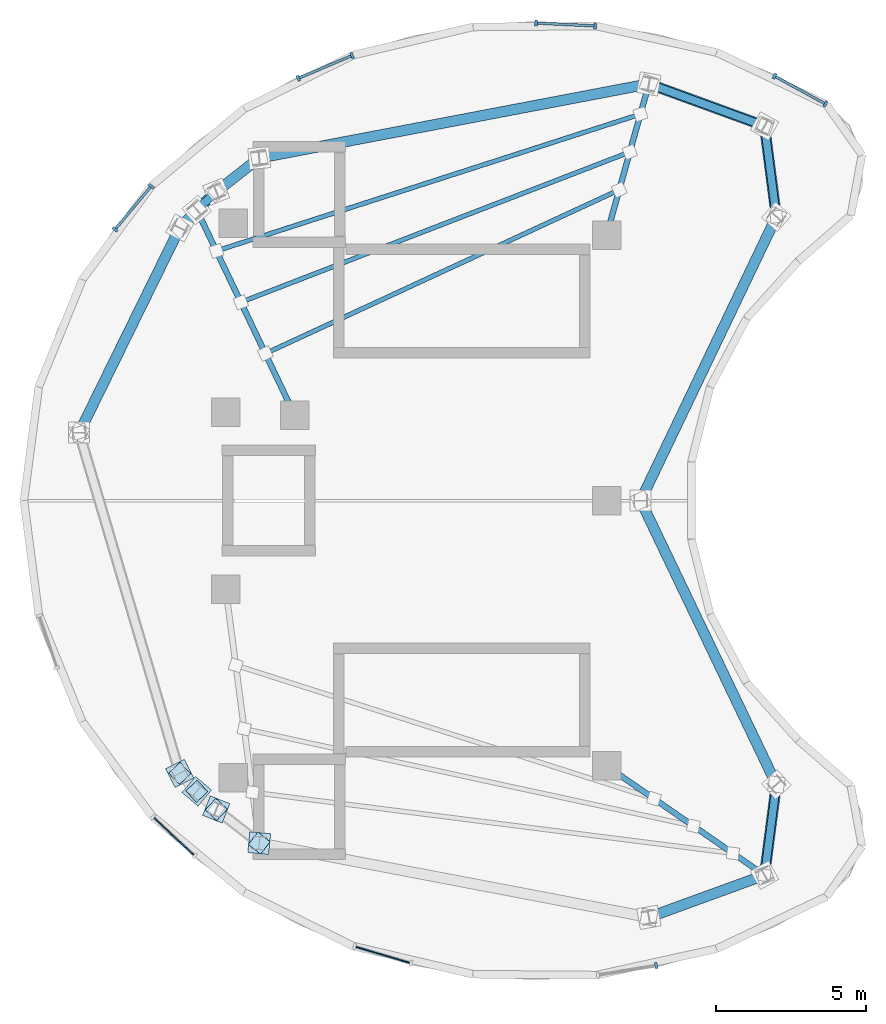
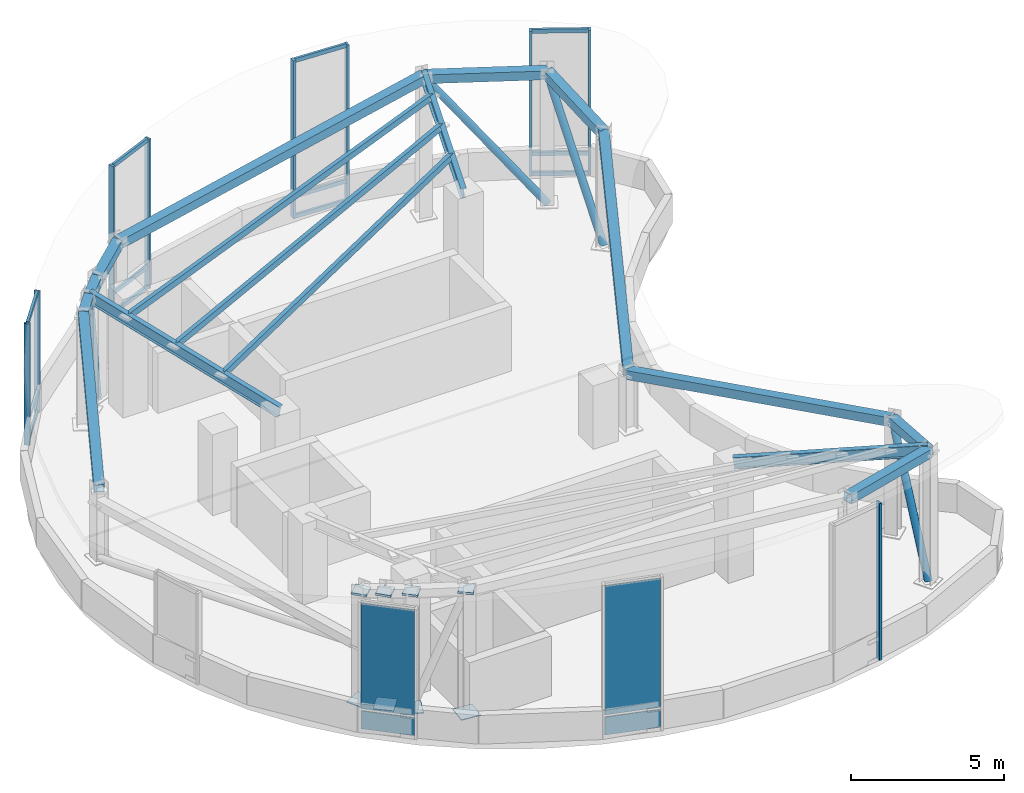
# One storey, part 2 of 4: 28 members, 14 beams, 12 plates, 7 elements without a shape of their own.
"""IFC4 building model written with IfcOpenShell, lengths in metres."""

from ifc_helpers import new_model, si_unit, direction, frame, origin, origin_2d, place, context, subcontext, project, spatial, rectangle, hollow_rectangle, hollow_circle, i_section, extrude, material, layer, layer_set, material_profile, profile_set, type_object, element, aggregate, save


model = new_model("IFC4")

# Units and contexts
model_context = context("Model", 3, precision=1e-05, world=origin(), true_north=direction((0.0, 1.0)))
body_context = subcontext(model_context, "Body", "Model", "MODEL_VIEW")
ifc_project = project(units=[si_unit("LENGTHUNIT", "METRE"), si_unit("AREAUNIT", "SQUARE_METRE"), si_unit("VOLUMEUNIT", "CUBIC_METRE"), si_unit("PLANEANGLEUNIT", "RADIAN"), si_unit("MASSUNIT", "GRAM", prefix="KILO")], contexts=[model_context])

# Site, building, storey
site_placement = place(None, origin())
site = spatial("IfcSite", under=ifc_project, at=site_placement, CompositionType="ELEMENT")
building_placement = place(site_placement, origin())
building = spatial("IfcBuilding", under=site, at=building_placement, Name="Korentha Bioscience Tower", CompositionType="ELEMENT")
storey_placement = place(building_placement, frame((0.0, 0.0, 343.800048828125)))
storey = spatial("IfcBuildingStorey", under=building, at=storey_placement, Name="RF", CompositionType="ELEMENT", Elevation=343.800048828125)

# Members
ifc_material_1 = material(Name="Steel S355", Category="steel")
ifc_material_profile_1 = material_profile(ifc_material_1, hollow_circle(Radius=0.136474609375, WallThickness=0.012451171875, at=origin_2d()), Name="Steel S355")
ifc_profile_set_1 = profile_set([ifc_material_profile_1], Name="Steel S355 (CF-BR273)")
member_type_1 = type_object("IfcMemberType", Name="Crown Frame Brace CHS 273x12.5", PredefinedType="BRACE", material=ifc_profile_set_1)
member_1_placement = place(storey_placement, frame((42.8193359375, 39.493896484375, 0.0), z_axis=(-0.55883798473, 0.203483958231, 0.803924365575), x_axis=(-0.342144214215, -0.939647453399, 0.0)))
element("IfcMember", 1, at=member_1_placement, inside=storey, type_object=member_type_1, Name="RF Crown Wind Brace 01", PredefinedType="BRACE", context=body_context, shape_type="SweptSolid", body=[
    extrude(hollow_circle(Radius=0.136474609375, WallThickness=0.012451171875, at=origin_2d()), origin(), (0.0, 0.0, 1.0), 6.9013671875),
])
member_2_placement = place(storey_placement, frame((24.53271484375, 37.302490234375, 0.0), z_axis=(-0.140267273793, -0.131095343826, 0.981396506377), x_axis=(0.682816985006, -0.730589464054, 0.0)))
element("IfcMember", 2, at=member_2_placement, inside=storey, type_object=member_type_1, Name="RF Crown Wind Brace 04", PredefinedType="BRACE", context=body_context, shape_type="SweptSolid", body=[
    extrude(hollow_circle(Radius=0.136474609375, WallThickness=0.012451171875, at=origin_2d()), origin(), (0.0, 0.0, 1.0), 4.631591796875),
])
member_3_placement = place(storey_placement, frame((42.8193359375, 14.506103515625, 0.0), z_axis=(0.072700696901, 0.557416969811, 0.827043487633), x_axis=(-0.991601749102, 0.129328926302, 0.0)))
element("IfcMember", 3, at=member_3_placement, inside=storey, type_object=member_type_1, Name="RF Crown Wind Brace 13", PredefinedType="BRACE", context=body_context, shape_type="SweptSolid", body=[
    extrude(hollow_circle(Radius=0.136474609375, WallThickness=0.012451171875, at=origin_2d()), origin(), (0.0, 0.0, 1.0), 5.43017578125),
])
member_4_placement = place(storey_placement, frame((43.214111328125, 36.467041015625, 0.0), z_axis=(-0.065348633039, 0.501046600132, 0.862949512229), x_axis=(-0.991601749102, -0.129328926302, 0.0)))
element("IfcMember", 4, at=member_4_placement, inside=storey, type_object=member_type_1, Name="RF Crown Wind Brace 16", PredefinedType="BRACE", context=body_context, shape_type="SweptSolid", body=[
    extrude(hollow_circle(Radius=0.136474609375, WallThickness=0.012451171875, at=origin_2d()), origin(), (0.0, 0.0, 1.0), 6.041015625),
])

# Beams
ifc_material_profile_2 = material_profile(ifc_material_1, hollow_rectangle(XDim=0.35009765625, YDim=0.35009765625, WallThickness=0.02001953125, at=origin_2d()), Name="Steel S355")
ifc_profile_set_2 = profile_set([ifc_material_profile_2], Name="Steel S355 (CF-RB1)")
beam_type_1 = type_object("IfcBeamType", Name="Crown Ring Cap Beam SHS 350x350x20", PredefinedType="BEAM", material=ifc_profile_set_2)
beam_1_placement = place(storey_placement, frame((42.8193359375, 39.493896484375, 5.213134765625), z_axis=(-0.936533866191, 0.341010495558, 0.081339777452), x_axis=(-0.342144214215, -0.939647453399, 0.0)))
element("IfcBeam", 5, at=beam_1_placement, inside=storey, type_object=beam_type_1, Name="RF Crown Ring Cap Beam 01", PredefinedType="BEAM", context=body_context, shape_type="SweptSolid", body=[
    extrude(hollow_rectangle(XDim=0.35009765625, YDim=0.35009765625, WallThickness=0.02001953125, at=origin_2d()), origin(), (0.0, 0.0, 1.0), 4.1181640625),
])
beam_2_placement = place(storey_placement, frame((38.962646484375, 40.898193359375, 5.548095703125), z_axis=(-0.981390025484, -0.186783953005, -0.044557522149), x_axis=(0.186969647443, -0.982365691041, 0.0)))
element("IfcBeam", 6, at=beam_2_placement, inside=storey, type_object=beam_type_1, Name="RF Crown Ring Cap Beam 02", PredefinedType="BEAM", context=body_context, shape_type="SweptSolid", body=[
    extrude(hollow_rectangle(XDim=0.35009765625, YDim=0.35009765625, WallThickness=0.02001953125, at=origin_2d()), origin(), (0.0, 0.0, 1.0), 13.2431640625),
])
beam_3_placement = place(storey_placement, frame((25.9658203125, 38.424560546875, 4.9580078125), z_axis=(-0.778996153373, -0.609926119404, -0.145448004105), x_axis=(0.616481850919, -0.787369117688, 0.0)))
element("IfcBeam", 7, at=beam_3_placement, inside=storey, type_object=beam_type_1, Name="RF Crown Ring Cap Beam 03", PredefinedType="BEAM", context=body_context, shape_type="SweptSolid", body=[
    extrude(hollow_rectangle(XDim=0.35009765625, YDim=0.35009765625, WallThickness=0.02001953125, at=origin_2d()), origin(), (0.0, 0.0, 1.0), 1.839599609375),
])
beam_4_placement = place(storey_placement, frame((24.53271484375, 37.302490234375, 4.6904296875), z_axis=(-0.721063387482, -0.673913808594, -0.16095890724), x_axis=(0.682816985006, -0.730589464054, 0.0)))
element("IfcBeam", 8, at=beam_4_placement, inside=storey, type_object=beam_type_1, Name="RF Crown Ring Cap Beam 04", PredefinedType="BEAM", context=body_context, shape_type="SweptSolid", body=[
    extrude(hollow_rectangle(XDim=0.35009765625, YDim=0.35009765625, WallThickness=0.02001953125, at=origin_2d()), origin(), (0.0, 0.0, 1.0), 0.90087890625),
])
beam_5_placement = place(storey_placement, frame((23.883056640625, 36.6953125, 4.54541015625), z_axis=(-0.679192228581, -0.713910388031, -0.170381555623), x_axis=(0.724503966425, -0.68927063091, 0.0)))
element("IfcBeam", 9, at=beam_5_placement, inside=storey, type_object=beam_type_1, Name="RF Crown Ring Cap Beam 05", PredefinedType="BEAM", context=body_context, shape_type="SweptSolid", body=[
    extrude(hollow_rectangle(XDim=0.35009765625, YDim=0.35009765625, WallThickness=0.02001953125, at=origin_2d()), origin(), (0.0, 0.0, 1.0), 0.8369140625),
])
beam_6_placement = place(storey_placement, frame((23.314697265625, 36.097900390625, 4.40283203125), z_axis=(-0.430853004962, -0.877793613938, -0.209389730994), x_axis=(0.897693443346, -0.440620564401, 0.0)))
element("IfcBeam", 10, at=beam_6_placement, inside=storey, type_object=beam_type_1, Name="RF Crown Ring Cap Beam 06", PredefinedType="BEAM", context=body_context, shape_type="SweptSolid", body=[
    extrude(hollow_rectangle(XDim=0.35009765625, YDim=0.35009765625, WallThickness=0.02001953125, at=origin_2d()), origin(), (0.0, 0.0, 1.0), 7.78515625),
])
beam_7_placement = place(storey_placement, frame((38.962646484375, 13.101806640625, 5.548095703125), z_axis=(0.936533866191, 0.341010495558, -0.081339777452), x_axis=(-0.342144214215, 0.939647453399, 0.0)))
element("IfcBeam", 11, at=beam_7_placement, inside=storey, type_object=beam_type_1, Name="RF Crown Ring Cap Beam 12", PredefinedType="BEAM", context=body_context, shape_type="SweptSolid", body=[
    extrude(hollow_rectangle(XDim=0.35009765625, YDim=0.35009765625, WallThickness=0.02001953125, at=origin_2d()), origin(), (0.0, 0.0, 1.0), 4.1181640625),
])
beam_8_placement = place(storey_placement, frame((42.8193359375, 14.506103515625, 5.213134765625), z_axis=(0.125854733697, 0.964964123915, -0.230227768877), x_axis=(-0.991601749102, 0.129328926302, 0.0)))
element("IfcBeam", 12, at=beam_8_placement, inside=storey, type_object=beam_type_1, Name="RF Crown Ring Cap Beam 13", PredefinedType="BEAM", context=body_context, shape_type="SweptSolid", body=[
    extrude(hollow_rectangle(XDim=0.35009765625, YDim=0.35009765625, WallThickness=0.02001953125, at=origin_2d()), origin(), (0.0, 0.0, 1.0), 3.13671875),
])
for number, where, z_axis, x_axis, name in (
    (13, (43.214111328125, 17.532958984375, 4.490966796875), (-0.421789454281, 0.881948216159, -0.210382984745), (-0.902138946124, -0.431445618688, 0.0), "RF Crown Ring Cap Beam 14"),
    (14, (38.6865234375, 27.0, 2.232666015625), (0.421789454281, 0.881948216159, 0.210382984745), (-0.902138946124, 0.431445618688, 0.0), "RF Crown Ring Cap Beam 15"),
):
    element("IfcBeam", number, at=place(storey_placement, frame(where, z_axis=z_axis, x_axis=x_axis)), inside=storey, type_object=beam_type_1, Name=name, PredefinedType="BEAM", context=body_context, shape_type="SweptSolid", body=[
        extrude(hollow_rectangle(XDim=0.35009765625, YDim=0.35009765625, WallThickness=0.02001953125, at=origin_2d()), origin(), (0.0, 0.0, 1.0), 10.734130859375),
    ])
beam_9_placement = place(storey_placement, frame((43.214111328125, 36.467041015625, 4.490966796875), z_axis=(-0.125854733697, 0.964964123915, 0.230227768877), x_axis=(-0.991601749102, -0.129328926302, 0.0)))
element("IfcBeam", 15, at=beam_9_placement, inside=storey, type_object=beam_type_1, Name="RF Crown Ring Cap Beam 16", PredefinedType="BEAM", context=body_context, shape_type="SweptSolid", body=[
    extrude(hollow_rectangle(XDim=0.35009765625, YDim=0.35009765625, WallThickness=0.02001953125, at=origin_2d()), origin(), (0.0, 0.0, 1.0), 3.13671875),
])

# Members
ifc_material_profile_3 = material_profile(ifc_material_1, hollow_rectangle(XDim=0.14990234375, YDim=0.25, WallThickness=0.012451171875, at=origin_2d()), Name="Steel S355")
ifc_profile_set_3 = profile_set([ifc_material_profile_3], Name="Steel S355 (CR-P250)")
member_type_2 = type_object("IfcMemberType", Name="Crown Roof Secondary Purlin RHS 250x150x12.5", PredefinedType="PURLIN", material=ifc_profile_set_3)
member_5_placement = place(storey_placement, frame((26.169921875, 31.903564453125, 3.577392578125), z_axis=(0.903061067747, 0.417788784946, 0.099665636466), x_axis=(-0.419879370564, 0.907579921646, 0.0)))
element("IfcMember", 16, at=member_5_placement, inside=storey, type_object=member_type_2, Name="RF Crest Roof Purlin 01-N", PredefinedType="PURLIN", context=body_context, shape_type="SweptSolid", body=[
    extrude(hollow_rectangle(XDim=0.14990234375, YDim=0.25, WallThickness=0.012451171875, at=origin_2d()), origin(), (0.0, 0.0, 1.0), 13.071044921875),
])
member_6_placement = place(storey_placement, frame((25.353271484375, 33.614990234375, 3.985595703125), z_axis=(0.929390470154, 0.359023853431, 0.085645937756), x_axis=(-0.360347902721, 0.932817982784, 0.0)))
element("IfcMember", 17, at=member_6_placement, inside=storey, type_object=member_type_2, Name="RF Crest Roof Purlin 02-N", PredefinedType="PURLIN", context=body_context, shape_type="SweptSolid", body=[
    extrude(hollow_rectangle(XDim=0.14990234375, YDim=0.25, WallThickness=0.012451171875, at=origin_2d()), origin(), (0.0, 0.0, 1.0), 13.959228515625),
])
member_7_placement = place(storey_placement, frame((24.53662109375, 35.326171875, 4.393798828125), z_axis=(0.949165349093, 0.306186598837, 0.073040446148), x_axis=(-0.307006619832, 0.951707379072, 0.0)))
element("IfcMember", 18, at=member_7_placement, inside=storey, type_object=member_type_2, Name="RF Crest Roof Purlin 03-N", PredefinedType="PURLIN", context=body_context, shape_type="SweptSolid", body=[
    extrude(hollow_rectangle(XDim=0.14990234375, YDim=0.25, WallThickness=0.012451171875, at=origin_2d()), origin(), (0.0, 0.0, 1.0), 14.901123046875),
])

# Curtain wall, members
ifc_material_2 = material(Name="Thermally Broken Aluminium Frame", Category="aluminium")
ifc_layer_1 = layer(ifc_material_2, 0.219970703125, Name="Thermally Broken Aluminium Frame")
ifc_layer_set_1 = layer_set([ifc_layer_1], Name="Thermally Broken Aluminium Frame (CW-C1)")
curtain_wall_type = type_object("IfcCurtainWallType", Name="Stepped Glazed-Frame Crown Curtain Wall CW-C1", PredefinedType="USERDEFINED", material=ifc_layer_set_1)
curtain_wall_1_placement = place(storey_placement, origin())
curtain_wall_1 = element("IfcCurtainWall", 19, at=curtain_wall_1_placement, inside=storey, type_object=curtain_wall_type, Name="RF Crown Curtain Wall 01", ObjectType="CROWN_GLAZING", PredefinedType="USERDEFINED")
ifc_material_3 = material(Name="Anodised Aluminium 6063-T6", Category="aluminium")
ifc_material_profile_4 = material_profile(ifc_material_3, rectangle(XDim=0.090087890625, YDim=0.199951171875, at=origin_2d()), Name="Anodised Aluminium 6063-T6")
ifc_profile_set_4 = profile_set([ifc_material_profile_4], Name="Anodised Aluminium 6063-T6 (CW-MUL)")
member_type_3 = type_object("IfcMemberType", Name="Mullion RECT 90x200", PredefinedType="MULLION", material=ifc_profile_set_4)
member_8_placement = place(storey_placement, frame((44.85107421875, 40.228271484375, 0.0), z_axis=(0.0, 0.0, 1.0), x_axis=(-0.877088841043, 0.480328184597, 0.0)))
member_8 = element("IfcMember", 20, at=member_8_placement, type_object=member_type_3, Name="CW-RF-CR-01 Mullion 1", PredefinedType="MULLION", context=body_context, shape_type="SweptSolid", body=[
    extrude(rectangle(XDim=0.090087890625, YDim=0.199951171875, at=origin_2d()), origin(), (0.0, 0.0, 1.0), 5.799072265625),
])
member_9_placement = place(storey_placement, frame((43.153076171875, 41.158203125, 0.0), z_axis=(0.0, 0.0, 1.0), x_axis=(-0.877088841043, 0.480328184597, 0.0)))
member_9 = element("IfcMember", 21, at=member_9_placement, type_object=member_type_3, Name="CW-RF-CR-01 Mullion 2", PredefinedType="MULLION", context=body_context, shape_type="SweptSolid", body=[
    extrude(rectangle(XDim=0.090087890625, YDim=0.199951171875, at=origin_2d()), origin(), (0.0, 0.0, 1.0), 5.799072265625),
])

curtain_wall_2_placement = place(storey_placement, origin())
curtain_wall_2 = element("IfcCurtainWall", 22, at=curtain_wall_2_placement, inside=storey, type_object=curtain_wall_type, Name="RF Crown Curtain Wall 02", ObjectType="CROWN_GLAZING", PredefinedType="USERDEFINED")
member_10_placement = place(storey_placement, frame((37.17041015625, 42.83154296875, 0.0), z_axis=(0.0, 0.0, 1.0), x_axis=(-0.998819818758, 0.048569225393, 0.0)))
member_10 = element("IfcMember", 23, at=member_10_placement, type_object=member_type_3, Name="CW-RF-CR-02 Mullion 1", PredefinedType="MULLION", context=body_context, shape_type="SweptSolid", body=[
    extrude(rectangle(XDim=0.090087890625, YDim=0.199951171875, at=origin_2d()), origin(), (0.0, 0.0, 1.0), 6.32080078125),
])
member_11_placement = place(storey_placement, frame((35.19970703125, 42.92724609375, 0.0), z_axis=(0.0, 0.0, 1.0), x_axis=(-0.998819818758, 0.048569225393, 0.0)))
member_11 = element("IfcMember", 24, at=member_11_placement, type_object=member_type_3, Name="CW-RF-CR-02 Mullion 2", PredefinedType="MULLION", context=body_context, shape_type="SweptSolid", body=[
    extrude(rectangle(XDim=0.090087890625, YDim=0.199951171875, at=origin_2d()), origin(), (0.0, 0.0, 1.0), 6.32080078125),
])

curtain_wall_3_placement = place(storey_placement, origin())
curtain_wall_3 = element("IfcCurtainWall", 25, at=curtain_wall_3_placement, inside=storey, type_object=curtain_wall_type, Name="RF Crown Curtain Wall 03", ObjectType="CROWN_GLAZING", PredefinedType="USERDEFINED")
member_12_placement = place(storey_placement, frame((29.0615234375, 41.84326171875, 0.0), z_axis=(0.0, 0.0, 1.0), x_axis=(-0.920726030578, -0.390209657255, 0.0)))
member_12 = element("IfcMember", 26, at=member_12_placement, type_object=member_type_3, Name="CW-RF-CR-03 Mullion 1", PredefinedType="MULLION", context=body_context, shape_type="SweptSolid", body=[
    extrude(rectangle(XDim=0.090087890625, YDim=0.199951171875, at=origin_2d()), origin(), (0.0, 0.0, 1.0), 5.98291015625),
])
member_13_placement = place(storey_placement, frame((27.267578125, 41.0830078125, 0.0), z_axis=(0.0, 0.0, 1.0), x_axis=(-0.920726030578, -0.390209657255, 0.0)))
member_13 = element("IfcMember", 27, at=member_13_placement, type_object=member_type_3, Name="CW-RF-CR-03 Mullion 2", PredefinedType="MULLION", context=body_context, shape_type="SweptSolid", body=[
    extrude(rectangle(XDim=0.090087890625, YDim=0.199951171875, at=origin_2d()), origin(), (0.0, 0.0, 1.0), 5.98291015625),
])

curtain_wall_4_placement = place(storey_placement, origin())
curtain_wall_4 = element("IfcCurtainWall", 28, at=curtain_wall_4_placement, inside=storey, type_object=curtain_wall_type, Name="RF Crown Curtain Wall 04", ObjectType="CROWN_GLAZING", PredefinedType="USERDEFINED")
member_14_placement = place(storey_placement, frame((22.364990234375, 37.486328125, 0.0), z_axis=(0.0, 0.0, 1.0), x_axis=(-0.642660280406, -0.766151267041, 0.0)))
member_14 = element("IfcMember", 29, at=member_14_placement, type_object=member_type_3, Name="CW-RF-CR-04 Mullion 1", PredefinedType="MULLION", context=body_context, shape_type="SweptSolid", body=[
    extrude(rectangle(XDim=0.090087890625, YDim=0.199951171875, at=origin_2d()), origin(), (0.0, 0.0, 1.0), 4.8623046875),
])
member_15_placement = place(storey_placement, frame((21.155517578125, 36.044677734375, 0.0), z_axis=(0.0, 0.0, 1.0), x_axis=(-0.642660280406, -0.766151267041, 0.0)))
member_15 = element("IfcMember", 30, at=member_15_placement, type_object=member_type_3, Name="CW-RF-CR-04 Mullion 2", PredefinedType="MULLION", context=body_context, shape_type="SweptSolid", body=[
    extrude(rectangle(XDim=0.090087890625, YDim=0.199951171875, at=origin_2d()), origin(), (0.0, 0.0, 1.0), 4.8623046875),
])

# Curtain wall, member
curtain_wall_5_placement = place(storey_placement, origin())
curtain_wall_5 = element("IfcCurtainWall", 31, at=curtain_wall_5_placement, inside=storey, type_object=curtain_wall_type, Name="RF Crown Curtain Wall 08", ObjectType="CROWN_GLAZING", PredefinedType="USERDEFINED")
member_16_placement = place(storey_placement, frame((39.20361328125, 11.4921875, 0.0), z_axis=(0.0, 0.0, 1.0), x_axis=(0.98717651646, 0.1596324696, 0.0)))
member_16 = element("IfcMember", 32, at=member_16_placement, type_object=member_type_3, Name="CW-RF-CR-08 Mullion 2", PredefinedType="MULLION", context=body_context, shape_type="SweptSolid", body=[
    extrude(rectangle(XDim=0.090087890625, YDim=0.199951171875, at=origin_2d()), origin(), (0.0, 0.0, 1.0), 6.26953125),
])
aggregate(curtain_wall_5, [member_16])

# Beams
ifc_material_profile_5 = material_profile(ifc_material_1, i_section(OverallWidth=0.18994140625, OverallDepth=0.45703125, WebThickness=0.009033203125, FlangeThickness=0.014404296875, at=origin_2d()), Name="Steel S355")
ifc_profile_set_5 = profile_set([ifc_material_profile_5], Name="Steel S355 (CR-B460)")
beam_type_2 = type_object("IfcBeamType", Name="Sloped Crest Roof Rafter Beam W460x74", PredefinedType="BEAM", material=ifc_profile_set_5)
beam_10_placement = place(storey_placement, frame((27.14990234375, 29.85009765625, 2.984130859375), z_axis=(-0.421063159956, 0.882278520203, 0.210452911874), x_axis=(-0.902490706182, -0.430709328034, 0.0)))
element("IfcBeam", 33, at=beam_10_placement, inside=storey, type_object=beam_type_2, Name="RF Sloped Crest Rafter 1-N", PredefinedType="BEAM", context=body_context, shape_type="SweptSolid", body=[
    extrude(i_section(OverallWidth=0.18994140625, OverallDepth=0.45703125, WebThickness=0.009033203125, FlangeThickness=0.014404296875, at=origin_2d()), origin(), (0.0, 0.0, 1.0), 7.758544921875),
])
beam_11_placement = place(storey_placement, frame((37.550048828125, 35.85009765625, 4.415283203125), z_axis=(0.262633812204, 0.938555018137, 0.2239150701), x_axis=(-0.963007057137, 0.269476173168, 0.0)))
element("IfcBeam", 34, at=beam_11_placement, inside=storey, type_object=beam_type_2, Name="RF Sloped Crest Rafter 2-N", PredefinedType="BEAM", context=body_context, shape_type="SweptSolid", body=[
    extrude(i_section(OverallWidth=0.18994140625, OverallDepth=0.45703125, WebThickness=0.009033203125, FlangeThickness=0.014404296875, at=origin_2d()), origin(), (0.0, 0.0, 1.0), 5.378662109375),
])
beam_12_placement = place(storey_placement, frame((37.550048828125, 18.14990234375, 4.415283203125), z_axis=(0.815026228319, -0.563604061421, 0.134471964001), x_axis=(0.568769972354, 0.822496637408, 0.0)))
element("IfcBeam", 35, at=beam_12_placement, inside=storey, type_object=beam_type_2, Name="RF Sloped Crest Rafter 2-S", PredefinedType="BEAM", context=body_context, shape_type="SweptSolid", body=[
    extrude(i_section(OverallWidth=0.18994140625, OverallDepth=0.45703125, WebThickness=0.009033203125, FlangeThickness=0.014404296875, at=origin_2d()), origin(), (0.0, 0.0, 1.0), 6.465087890625),
])

# Member
ifc_material_profile_6 = material_profile(ifc_material_3, rectangle(XDim=0.090087890625, YDim=0.159912109375, at=origin_2d()), Name="Anodised Aluminium 6063-T6")
ifc_profile_set_6 = profile_set([ifc_material_profile_6], Name="Anodised Aluminium 6063-T6 (CW-TRN)")
member_type_4 = type_object("IfcMemberType", Name="Transom RECT 90x160", PredefinedType="USERDEFINED", material=ifc_profile_set_6)
member_17_placement = place(storey_placement, frame((44.8115234375, 40.249755859375, 0.044921875), z_axis=(-0.877085655285, 0.480334001809, 0.0), x_axis=(-0.480334001809, -0.877085655285, 0.0)))
member_17 = element("IfcMember", 36, at=member_17_placement, type_object=member_type_4, Name="CW-RF-CR-01 Bay 1 Transom 1", ObjectType="TRANSOM", PredefinedType="USERDEFINED", context=body_context, shape_type="SweptSolid", body=[
    extrude(rectangle(XDim=0.090087890625, YDim=0.159912109375, at=origin_2d()), origin(), (0.0, 0.0, 1.0), 1.845947265625),
])

member_18_placement = place(storey_placement, frame((44.8115234375, 40.249755859375, 0.849853515625), z_axis=(-0.877085655285, 0.480334001809, 0.0), x_axis=(-0.480334001809, -0.877085655285, 0.0)))
member_18 = element("IfcMember", 37, at=member_18_placement, type_object=member_type_4, Name="CW-RF-CR-01 Bay 1 Transom 2", ObjectType="TRANSOM", PredefinedType="USERDEFINED", context=body_context, shape_type="SweptSolid", body=[
    extrude(rectangle(XDim=0.090087890625, YDim=0.159912109375, at=origin_2d()), origin(), (0.0, 0.0, 1.0), 1.845947265625),
])

member_19_placement = place(storey_placement, frame((44.8115234375, 40.249755859375, 5.754150390625), z_axis=(-0.877085655285, 0.480334001809, 0.0), x_axis=(-0.480334001809, -0.877085655285, 0.0)))
member_19 = element("IfcMember", 38, at=member_19_placement, type_object=member_type_4, Name="CW-RF-CR-01 Bay 1 Transom 3", ObjectType="TRANSOM", PredefinedType="USERDEFINED", context=body_context, shape_type="SweptSolid", body=[
    extrude(rectangle(XDim=0.090087890625, YDim=0.159912109375, at=origin_2d()), origin(), (0.0, 0.0, 1.0), 1.845947265625),
])

aggregate(curtain_wall_1, [member_8, member_9, member_17, member_18, member_19])

member_20_placement = place(storey_placement, frame((37.12548828125, 42.833740234375, 0.044921875), z_axis=(-0.998823711501, 0.048489105413, 0.0), x_axis=(-0.048489105413, -0.998823711501, 0.0)))
member_20 = element("IfcMember", 39, at=member_20_placement, type_object=member_type_4, Name="CW-RF-CR-02 Bay 1 Transom 1", ObjectType="TRANSOM", PredefinedType="USERDEFINED", context=body_context, shape_type="SweptSolid", body=[
    extrude(rectangle(XDim=0.090087890625, YDim=0.159912109375, at=origin_2d()), origin(), (0.0, 0.0, 1.0), 1.883056640625),
])

member_21_placement = place(storey_placement, frame((37.12548828125, 42.833740234375, 0.849853515625), z_axis=(-0.998823711501, 0.048489105413, 0.0), x_axis=(-0.048489105413, -0.998823711501, 0.0)))
member_21 = element("IfcMember", 40, at=member_21_placement, type_object=member_type_4, Name="CW-RF-CR-02 Bay 1 Transom 2", ObjectType="TRANSOM", PredefinedType="USERDEFINED", context=body_context, shape_type="SweptSolid", body=[
    extrude(rectangle(XDim=0.090087890625, YDim=0.159912109375, at=origin_2d()), origin(), (0.0, 0.0, 1.0), 1.883056640625),
])

member_22_placement = place(storey_placement, frame((37.12548828125, 42.833740234375, 6.275634765625), z_axis=(-0.998823711501, 0.048489105413, 0.0), x_axis=(-0.048489105413, -0.998823711501, 0.0)))
member_22 = element("IfcMember", 41, at=member_22_placement, type_object=member_type_4, Name="CW-RF-CR-02 Bay 1 Transom 3", ObjectType="TRANSOM", PredefinedType="USERDEFINED", context=body_context, shape_type="SweptSolid", body=[
    extrude(rectangle(XDim=0.090087890625, YDim=0.159912109375, at=origin_2d()), origin(), (0.0, 0.0, 1.0), 1.883056640625),
])

aggregate(curtain_wall_2, [member_10, member_11, member_20, member_21, member_22])

member_23_placement = place(storey_placement, frame((29.02001953125, 41.82568359375, 0.044921875), z_axis=(-0.92072772069, -0.390205669299, 0.0), x_axis=(0.390205669299, -0.92072772069, 0.0)))
member_23 = element("IfcMember", 42, at=member_23_placement, type_object=member_type_4, Name="CW-RF-CR-03 Bay 1 Transom 1", ObjectType="TRANSOM", PredefinedType="USERDEFINED", context=body_context, shape_type="SweptSolid", body=[
    extrude(rectangle(XDim=0.090087890625, YDim=0.159912109375, at=origin_2d()), origin(), (0.0, 0.0, 1.0), 1.858154296875),
])

member_24_placement = place(storey_placement, frame((29.02001953125, 41.82568359375, 0.849853515625), z_axis=(-0.92072772069, -0.390205669299, 0.0), x_axis=(0.390205669299, -0.92072772069, 0.0)))
member_24 = element("IfcMember", 43, at=member_24_placement, type_object=member_type_4, Name="CW-RF-CR-03 Bay 1 Transom 2", ObjectType="TRANSOM", PredefinedType="USERDEFINED", context=body_context, shape_type="SweptSolid", body=[
    extrude(rectangle(XDim=0.090087890625, YDim=0.159912109375, at=origin_2d()), origin(), (0.0, 0.0, 1.0), 1.858154296875),
])

member_25_placement = place(storey_placement, frame((29.02001953125, 41.82568359375, 5.937744140625), z_axis=(-0.92072772069, -0.390205669299, 0.0), x_axis=(0.390205669299, -0.92072772069, 0.0)))
member_25 = element("IfcMember", 44, at=member_25_placement, type_object=member_type_4, Name="CW-RF-CR-03 Bay 1 Transom 3", ObjectType="TRANSOM", PredefinedType="USERDEFINED", context=body_context, shape_type="SweptSolid", body=[
    extrude(rectangle(XDim=0.090087890625, YDim=0.159912109375, at=origin_2d()), origin(), (0.0, 0.0, 1.0), 1.858154296875),
])

aggregate(curtain_wall_3, [member_12, member_13, member_23, member_24, member_25])

member_26_placement = place(storey_placement, frame((22.336181640625, 37.451904296875, 0.044921875), z_axis=(-0.642687083565, -0.766128783312, 0.0), x_axis=(0.766128783312, -0.642687083565, 0.0)))
member_26 = element("IfcMember", 45, at=member_26_placement, type_object=member_type_4, Name="CW-RF-CR-04 Bay 1 Transom 1", ObjectType="TRANSOM", PredefinedType="USERDEFINED", context=body_context, shape_type="SweptSolid", body=[
    extrude(rectangle(XDim=0.090087890625, YDim=0.159912109375, at=origin_2d()), origin(), (0.0, 0.0, 1.0), 1.791748046875),
])

member_27_placement = place(storey_placement, frame((22.336181640625, 37.451904296875, 0.849853515625), z_axis=(-0.642687083565, -0.766128783312, 0.0), x_axis=(0.766128783312, -0.642687083565, 0.0)))
member_27 = element("IfcMember", 46, at=member_27_placement, type_object=member_type_4, Name="CW-RF-CR-04 Bay 1 Transom 2", ObjectType="TRANSOM", PredefinedType="USERDEFINED", context=body_context, shape_type="SweptSolid", body=[
    extrude(rectangle(XDim=0.090087890625, YDim=0.159912109375, at=origin_2d()), origin(), (0.0, 0.0, 1.0), 1.791748046875),
])

member_28_placement = place(storey_placement, frame((22.336181640625, 37.451904296875, 4.817138671875), z_axis=(-0.642687083565, -0.766128783312, 0.0), x_axis=(0.766128783312, -0.642687083565, 0.0)))
member_28 = element("IfcMember", 47, at=member_28_placement, type_object=member_type_4, Name="CW-RF-CR-04 Bay 1 Transom 3", ObjectType="TRANSOM", PredefinedType="USERDEFINED", context=body_context, shape_type="SweptSolid", body=[
    extrude(rectangle(XDim=0.090087890625, YDim=0.159912109375, at=origin_2d()), origin(), (0.0, 0.0, 1.0), 1.791748046875),
])

aggregate(curtain_wall_4, [member_14, member_15, member_26, member_27, member_28])

# Plates
ifc_layer_2 = layer(ifc_material_1, 0.034912109375, Name="Steel S355")
ifc_layer_set_2 = layer_set([ifc_layer_2], Name="Steel S355 (BP-01)")
plate_type_1 = type_object("IfcPlateType", Name="Crown Strut Base Plate 700x700x35", PredefinedType="USERDEFINED", material=ifc_layer_set_2)
for number, where, z_axis, x_axis, name in (
    (48, (23.314697265625, 17.902099609375, 0.00048828125), (0.0, 0.0, 1.0), (-0.453057191132, 0.891481453292, 0.0), "RF Crown Post Base Plate BP-08"),
    (49, (23.883056640625, 17.3046875, 0.00048828125), (0.0, 0.0, 1.0), (-0.764246456939, 0.644924300253, 0.0), "RF Crown Post Base Plate BP-09"),
    (50, (24.53271484375, 16.697509765625, 0.00048828125), (0.0, 0.0, 1.0), (-0.930225540858, 0.366988341962, 0.0), "RF Crown Post Base Plate BP-10"),
    (51, (25.9658203125, 15.575439453125, 0.00048828125), (0.0, 0.0, 1.0), (-0.995462868748, 0.095150811579, 0.0), "RF Crown Post Base Plate BP-11"),
):
    element("IfcPlate", number, at=place(storey_placement, frame(where, z_axis=z_axis, x_axis=x_axis)), inside=storey, type_object=plate_type_1, Name=name, ObjectType="STIFFENER_PLATE", PredefinedType="USERDEFINED", context=body_context, shape_type="SweptSolid", body=[
        extrude(rectangle(XDim=0.699951171875, YDim=0.699951171875, at=origin_2d()), origin(), (0.0, 0.0, 1.0), 0.034912109375),
    ])

# Curtain wall, plates
curtain_wall_6_placement = place(storey_placement, origin())
curtain_wall_6 = element("IfcCurtainWall", 52, at=curtain_wall_6_placement, inside=storey, type_object=curtain_wall_type, Name="RF Crown Curtain Wall 06", ObjectType="CROWN_GLAZING", PredefinedType="USERDEFINED")
ifc_material_4 = material(Name="Triple-Glazed Low-E Insulated Glass", Category="glass")
ifc_layer_3 = layer(ifc_material_4, 0.0439453125, Name="Triple-Glazed Low-E Insulated Glass")
ifc_layer_set_3 = layer_set([ifc_layer_3], Name="Triple-Glazed Low-E Insulated Glass (GL-44)")
plate_type_2 = type_object("IfcPlateType", Name="Glazed Panel 44mm", PredefinedType="CURTAIN_PANEL", material=ifc_layer_set_3)
plate_1_placement = place(storey_placement, frame((23.12060546875, 15.7998046875, 0.08984375), z_axis=(0.0, 0.0, 1.0), x_axis=(0.730505135592, -0.682907202242, 0.0)))
plate_1 = element("IfcPlate", 53, at=plate_1_placement, type_object=plate_type_2, Name="CW-RF-CR-06 Bay 1 Glazed Panel 1", PredefinedType="CURTAIN_PANEL", context=body_context, shape_type="SweptSolid", body=[
    extrude(rectangle(XDim=1.8095703125, YDim=0.0439453125, at=origin_2d()), origin(), (0.0, 0.0, 1.0), 0.715087890625),
])
plate_2_placement = place(storey_placement, frame((23.12060546875, 15.7998046875, 0.89501953125), z_axis=(0.0, 0.0, 1.0), x_axis=(0.730505135592, -0.682907202242, 0.0)))
plate_2 = element("IfcPlate", 54, at=plate_2_placement, type_object=plate_type_2, Name="CW-RF-CR-06 Bay 1 Glazed Panel 2", PredefinedType="CURTAIN_PANEL", context=body_context, shape_type="SweptSolid", body=[
    extrude(rectangle(XDim=1.8095703125, YDim=0.0439453125, at=origin_2d()), origin(), (0.0, 0.0, 1.0), 4.219482421875),
])
aggregate(curtain_wall_6, [plate_1, plate_2])

curtain_wall_7_placement = place(storey_placement, origin())
curtain_wall_7 = element("IfcCurtainWall", 55, at=curtain_wall_7_placement, inside=storey, type_object=curtain_wall_type, Name="RF Crown Curtain Wall 07", ObjectType="CROWN_GLAZING", PredefinedType="USERDEFINED")
plate_3_placement = place(storey_placement, frame((30.086181640625, 11.8486328125, 0.08984375), z_axis=(0.0, 0.0, 1.0), x_axis=(0.959016804336, -0.283349199754, 0.0)))
plate_3 = element("IfcPlate", 56, at=plate_3_placement, type_object=plate_type_2, Name="CW-RF-CR-07 Bay 1 Glazed Panel 1", PredefinedType="CURTAIN_PANEL", context=body_context, shape_type="SweptSolid", body=[
    extrude(rectangle(XDim=1.8701171875, YDim=0.0439453125, at=origin_2d()), origin(), (0.0, 0.0, 1.0), 0.715087890625),
])
plate_4_placement = place(storey_placement, frame((30.086181640625, 11.8486328125, 0.894775390625), z_axis=(0.0, 0.0, 1.0), x_axis=(0.959016804336, -0.283349199754, 0.0)))
plate_4 = element("IfcPlate", 57, at=plate_4_placement, type_object=plate_type_2, Name="CW-RF-CR-07 Bay 1 Glazed Panel 2", PredefinedType="CURTAIN_PANEL", context=body_context, shape_type="SweptSolid", body=[
    extrude(rectangle(XDim=1.8701171875, YDim=0.0439453125, at=origin_2d()), origin(), (0.0, 0.0, 1.0), 5.162109375),
])
aggregate(curtain_wall_7, [plate_3, plate_4])

# Plates
ifc_layer_4 = layer(ifc_material_1, 0.080078125, Name="Steel S355")
ifc_layer_set_4 = layer_set([ifc_layer_4], Name="Steel S355 (CP-01)")
plate_type_3 = type_object("IfcPlateType", Name="Hollow Section End Cap Plate 520x520x80", PredefinedType="USERDEFINED", material=ifc_layer_set_4)
for number, where, z_axis, x_axis, name in (
    (58, (23.314697265625, 17.902099609375, 4.36279296875), (0.0, 0.0, 1.0), (-0.689240273721, 0.724532846102, 0.0), "RF Crown Ring 08 End Cap 1"),
    (59, (23.883056640625, 17.3046875, 4.50537109375), (0.0, 0.0, 1.0), (-0.689240273721, 0.724532846102, 0.0), "RF Crown Ring 08 End Cap 2"),
    (60, (24.53271484375, 16.697509765625, 4.650390625), (0.0, 0.0, 1.0), (-0.730519937827, 0.682891367963, 0.0), "RF Crown Ring 09 End Cap 2"),
    (61, (25.9658203125, 15.575439453125, 4.91796875), (0.0, 0.0, 1.0), (-0.787473187632, 0.616348909921, 0.0), "RF Crown Ring 10 End Cap 2"),
):
    element("IfcPlate", number, at=place(storey_placement, frame(where, z_axis=z_axis, x_axis=x_axis)), inside=storey, type_object=plate_type_3, Name=name, ObjectType="CAP_PLATE", PredefinedType="USERDEFINED", context=body_context, shape_type="SweptSolid", body=[
        extrude(rectangle(XDim=0.52001953125, YDim=0.52001953125, at=origin_2d()), origin(), (0.0, 0.0, 1.0), 0.080078125),
    ])

save(model, "model.ifc")
